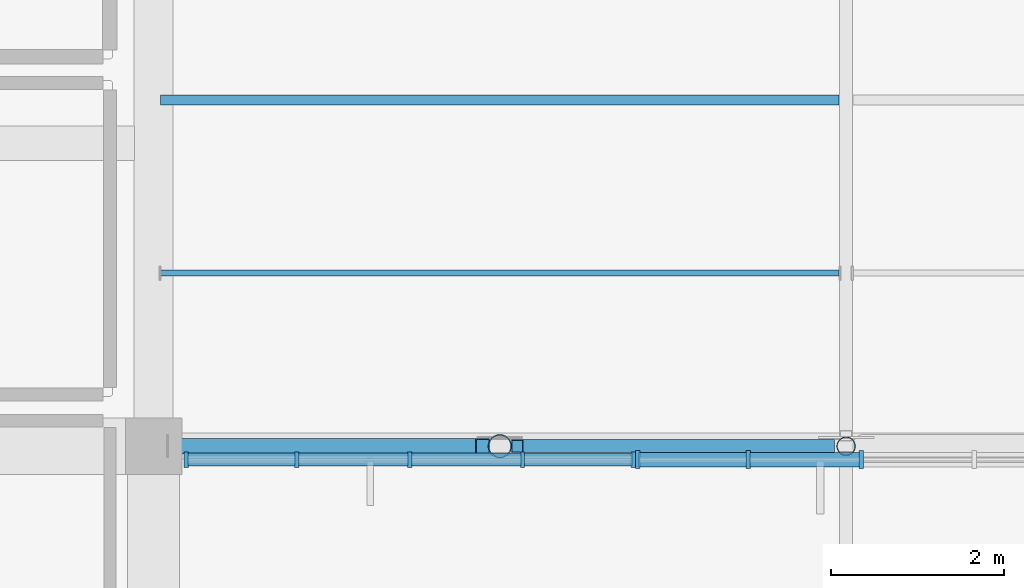
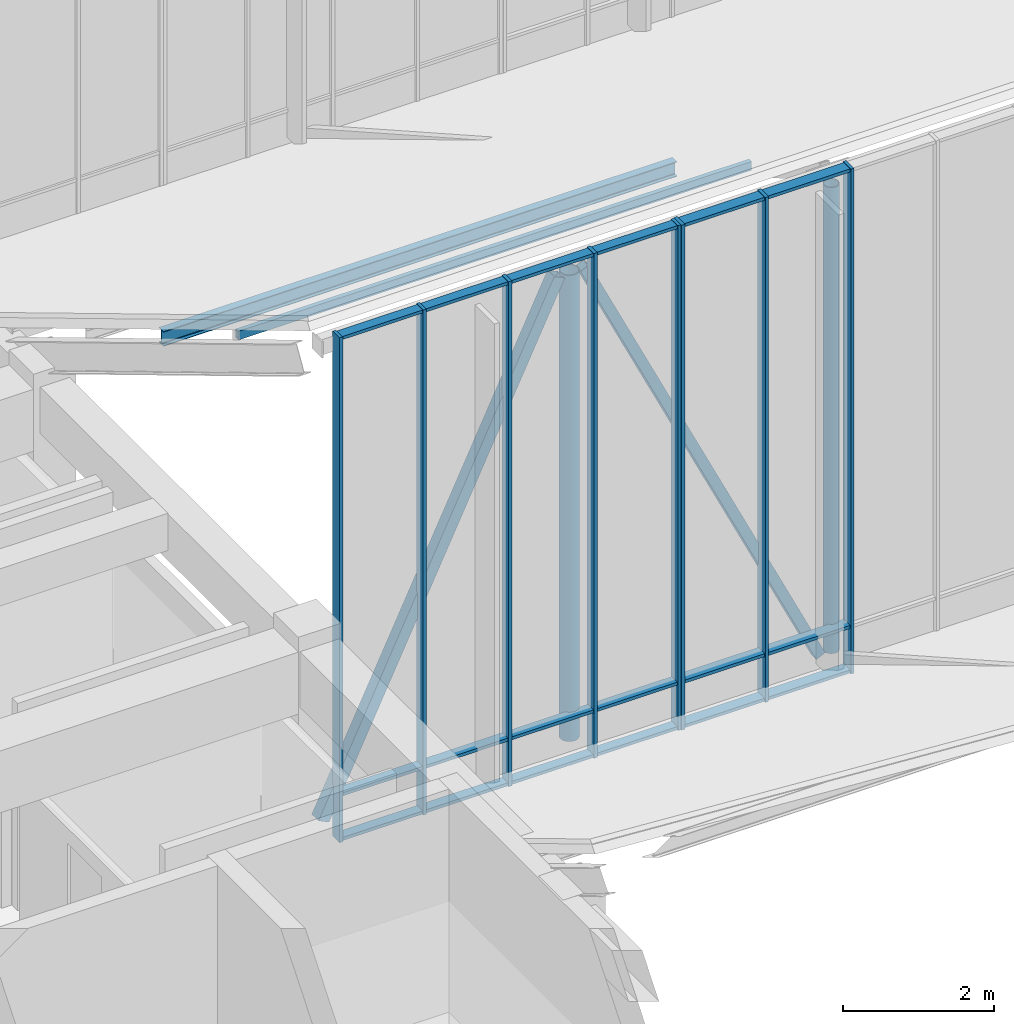
# One storey, part 38 of 155: 32 members, 2 elements without a shape of their own.
"""IFC4 building model written with IfcOpenShell, lengths in metres."""

import ifcopenshell
import ifcopenshell.guid

model = None  # the IFC model being written
_history = None  # IfcOwnerHistory: only IFC2X3 demands one
_inside = {}  # id of a spatial element -> (the spatial element, [elements in it])
_under = {}  # id of a project, library or spatial element -> (it, [spatial elements below it])
_declared = {}  # id of a project -> (the project, [libraries it declares])
_typed = {}  # id of a type object -> (the type object, [elements of that type])
_made_of = {}  # id of a material, layer set ... -> (it, [elements and type objects made of it])


def new_model(schema):
    """Start an empty IFC model of exactly this schema.

    Asked for "IFC4X3", IfcOpenShell would pick the latest addendum, in which some entities
    have other attributes; the version numbers below select the first issue.
    IFC2X3 requires an IfcOwnerHistory on every rooted entity: one is made here for all.
    """
    global model, _history
    if schema == "IFC4X3":
        model = ifcopenshell.file(schema_version=(4, 3, 0, 0))
    else:
        model = ifcopenshell.file(schema=schema)
    _inside.clear()
    _under.clear()
    _declared.clear()
    _typed.clear()
    _made_of.clear()
    _history = None
    if model.schema == "IFC2X3":
        org = make("IfcOrganization", Name="unknown")
        user = make(
            "IfcPersonAndOrganization",
            ThePerson=make("IfcPerson", FamilyName="unknown"),
            TheOrganization=org,
        )
        app = make(
            "IfcApplication",
            ApplicationDeveloper=org,
            Version="unknown",
            ApplicationFullName="unknown",
            ApplicationIdentifier="unknown",
        )
        _history = make(
            "IfcOwnerHistory",
            OwningUser=user,
            OwningApplication=app,
            ChangeAction="ADDED",
            CreationDate=0,
        )
    return model


def make(cls, **values):
    """One entity of the class cls with the attributes given. An attribute that is None is left unset."""
    return model.create_entity(
        cls, **{name: value for name, value in values.items() if value is not None}
    )


def rooted(cls, **values):
    """An entity with a GlobalId (a new one), such as an element, a storey or a relation."""
    return make(cls, GlobalId=ifcopenshell.guid.new(), OwnerHistory=_history, **values)


def si_unit(unit_type, name, prefix=None):
    """IfcSIUnit, for example si_unit("LENGTHUNIT", "METRE", prefix="MILLI")."""
    return make("IfcSIUnit", UnitType=unit_type, Prefix=prefix, Name=name)


def assignment(units):
    """IfcUnitAssignment: the units of a project."""
    return None if units is None else make("IfcUnitAssignment", Units=units)


def point(xyz):
    """IfcCartesianPoint."""
    return None if xyz is None else make("IfcCartesianPoint", Coordinates=xyz)


def direction(xyz):
    """IfcDirection."""
    return None if xyz is None else make("IfcDirection", DirectionRatios=xyz)


def frame(location, z_axis=None, x_axis=None):
    """IfcAxis2Placement3D, a coordinate frame: its origin and axes. An axis left out is left unset."""
    return make(
        "IfcAxis2Placement3D",
        Location=point(location),
        Axis=direction(z_axis),
        RefDirection=direction(x_axis),
    )


def frame_2d(location, x_axis=None):
    """IfcAxis2Placement2D, a coordinate frame in the plane: its origin and x axis."""
    return make(
        "IfcAxis2Placement2D", Location=point(location), RefDirection=direction(x_axis)
    )


def origin():
    """The frame at (0, 0, 0) with its axes left unset."""
    return frame((0.0, 0.0, 0.0))


def origin_2d():
    """The frame at (0, 0) in the plane with its x axis left unset."""
    return frame_2d((0.0, 0.0))


def place(relative_to, where):
    """IfcLocalPlacement: puts the frame where relative to a parent placement (None: the world)."""
    return make(
        "IfcLocalPlacement", PlacementRelTo=relative_to, RelativePlacement=where
    )


def context(
    kind, dimensions, precision=None, world=None, true_north=None, identifier=None
):
    """IfcGeometricRepresentationContext, for example the 3D "Model" context."""
    return make(
        "IfcGeometricRepresentationContext",
        ContextIdentifier=identifier,
        ContextType=kind,
        CoordinateSpaceDimension=dimensions,
        Precision=precision,
        WorldCoordinateSystem=world,
        TrueNorth=true_north,
    )


def subcontext(parent, identifier, kind, view, scale=None):
    """IfcGeometricRepresentationSubContext, for example "Body" below "Model"."""
    return make(
        "IfcGeometricRepresentationSubContext",
        ContextIdentifier=identifier,
        ContextType=kind,
        ParentContext=parent,
        TargetScale=scale,
        TargetView=view,
    )


def project(units=None, contexts=None):
    """IfcProject with its units and contexts."""
    return rooted(
        "IfcProject",
        Name="project",
        RepresentationContexts=contexts,
        UnitsInContext=assignment(units),
    )


def spatial(cls, under=None, at=None, **own):
    """A site, building, storey or space (cls), placed at a placement, below another one or the project."""
    s = rooted(cls, ObjectPlacement=at, **own)
    if under is not None:
        _under.setdefault(under.id(), (under, []))[1].append(s)
    return s


def profile(cls, at=None, kind="AREA", **sizes):
    """A parametric profile (cls). Its sizes go by their IFC names, for example OverallWidth=200.0."""
    return make(cls, ProfileType=kind, Position=at, **sizes)


def rectangle(**sizes):
    """IfcRectangleProfileDef."""
    return profile("IfcRectangleProfileDef", **sizes)


def hollow_rectangle(**sizes):
    """IfcRectangleHollowProfileDef."""
    return profile("IfcRectangleHollowProfileDef", **sizes)


def hollow_circle(**sizes):
    """IfcCircleHollowProfileDef."""
    return profile("IfcCircleHollowProfileDef", **sizes)


def i_section(**sizes):
    """IfcIShapeProfileDef."""
    return profile("IfcIShapeProfileDef", **sizes)


def extrude(swept, where, along, depth):
    """IfcExtrudedAreaSolid: the profile swept, set in the frame where, extruded along a direction by depth."""
    return make(
        "IfcExtrudedAreaSolid",
        SweptArea=swept,
        Position=where,
        ExtrudedDirection=direction(along),
        Depth=depth,
    )


def shape(context_of_items, identifier, shape_type, items):
    """IfcShapeRepresentation: the items that make up one representation, for example the "Body"."""
    return make(
        "IfcShapeRepresentation",
        ContextOfItems=context_of_items,
        RepresentationIdentifier=identifier,
        RepresentationType=shape_type,
        Items=items,
    )


def material(Name=None, Category=None):
    """IfcMaterial."""
    return make("IfcMaterial", Name=Name, Category=Category)


def material_profile(
    of_material, cross_section, Name=None, Category=None, Priority=None
):
    """IfcMaterialProfile: a cross section and its material."""
    return make(
        "IfcMaterialProfile",
        Name=Name,
        Material=of_material,
        Profile=cross_section,
        Priority=Priority,
        Category=Category,
    )


def profile_set(profiles, Name=None, composite=None):
    """IfcMaterialProfileSet."""
    return make(
        "IfcMaterialProfileSet",
        Name=Name,
        MaterialProfiles=profiles,
        CompositeProfile=composite,
    )


def made_of(thing, what):
    """Note that an element or type object is made of a material, layer set ...; save() writes the relation."""
    if what is not None:
        _made_of.setdefault(what.id(), (what, []))[1].append(thing)
    return thing


def type_object(cls, material=None, **own):
    """A type object (cls), such as IfcWallType, which elements share."""
    return made_of(rooted(cls, **own), material)


def element(
    cls,
    number,
    at=None,
    inside=None,
    cuts=None,
    type_object=None,
    material=None,
    context=None,
    identifier="Body",
    shape_type=None,
    held_by="IfcProductDefinitionShape",
    body=None,
    shapes=None,
    **own,
):
    """One element of the class cls, such as IfcWall. Its Tag is "e" and its number.

    at: its placement. inside: the storey or other place that contains it. cuts: it is an
    opening in that element (IfcRelVoidsElement). A single representation is given by context,
    identifier, shape_type and body (its items); several are given by shapes. held_by: the class
    of the entity that holds the representations. save() writes the other relations.
    """
    e = rooted(cls, Tag="e%d" % number, ObjectPlacement=at, **own)
    if body is not None:
        shapes = [shape(context, identifier, shape_type, body)]
    if shapes is not None:
        e.Representation = make(held_by, Representations=shapes)
    if inside is not None:
        _inside.setdefault(inside.id(), (inside, []))[1].append(e)
    if cuts is not None:
        rooted(
            "IfcRelVoidsElement", RelatingBuildingElement=cuts, RelatedOpeningElement=e
        )
    if type_object is not None:
        _typed.setdefault(type_object.id(), (type_object, []))[1].append(e)
    return made_of(e, material)


def aggregate(whole, parts):
    """IfcRelAggregates: a whole, such as a stair, and the parts it consists of."""
    return rooted("IfcRelAggregates", RelatingObject=whole, RelatedObjects=parts)


def save(model, path):
    """Write the relations noted so far, then the file.

    IfcRelAggregates (storeys below a building ...), IfcRelContainedInSpatialStructure (elements
    in a storey), IfcRelDefinesByType, IfcRelAssociatesMaterial and IfcRelDeclares: one each for
    every whole, place, type object, material and project.
    """
    for whole, parts in _under.values():
        aggregate(whole, parts)
    for where, things in _inside.values():
        rooted(
            "IfcRelContainedInSpatialStructure",
            RelatedElements=things,
            RelatingStructure=where,
        )
    for kind, things in _typed.values():
        rooted("IfcRelDefinesByType", RelatedObjects=things, RelatingType=kind)
    for what, things in _made_of.values():
        rooted("IfcRelAssociatesMaterial", RelatedObjects=things, RelatingMaterial=what)
    for by, libraries in _declared.values():
        rooted("IfcRelDeclares", RelatingContext=by, RelatedDefinitions=libraries)
    model.write(path)


model = new_model("IFC4")

# Units and contexts
model_context = context("Model", 3, precision=1e-05, world=origin(), true_north=direction((0.0, 1.0)))
body_context = subcontext(model_context, "Body", "Model", "MODEL_VIEW")
ifc_project = project(units=[si_unit("LENGTHUNIT", "METRE"), si_unit("AREAUNIT", "SQUARE_METRE"), si_unit("VOLUMEUNIT", "CUBIC_METRE"), si_unit("PLANEANGLEUNIT", "RADIAN"), si_unit("MASSUNIT", "GRAM", prefix="KILO")], contexts=[model_context])

# Site, building, storey
site_placement = place(None, origin())
site = spatial("IfcSite", under=ifc_project, at=site_placement, CompositionType="ELEMENT")
building_placement = place(site_placement, origin())
building = spatial("IfcBuilding", under=site, at=building_placement, Name="Larkveld Mobility Hub", CompositionType="ELEMENT")
storey_placement = place(building_placement, frame((0.0, 0.0, 8.39990234375)))
storey = spatial("IfcBuildingStorey", under=building, at=storey_placement, Name="L02", CompositionType="ELEMENT", Elevation=8.39990234375)

# Curtain wall, members
ifc_material_1 = material(Name="Anodised aluminium 6063-T6", Category="aluminium")
curtain_wall_type_1 = type_object("IfcCurtainWallType", Name="CW-SYS-02", PredefinedType="NOTDEFINED", material=ifc_material_1)
curtain_wall_1_placement = place(storey_placement, origin())
curtain_wall_1 = element("IfcCurtainWall", 1, at=curtain_wall_1_placement, inside=storey, type_object=curtain_wall_type_1, Name="Sawtooth South-Light Clerestory B2 CW-014", PredefinedType="NOTDEFINED")
ifc_material_profile_1 = material_profile(ifc_material_1, rectangle(XDim=0.050048828125, YDim=0.179931640625, at=origin_2d()), Name="ALU MULL 50x180")
ifc_profile_set_1 = profile_set([ifc_material_profile_1], Name="Anodised aluminium 6063-T6")
member_type_1 = type_object("IfcMemberType", Name="CW-MUL-02", PredefinedType="MULLION", material=ifc_profile_set_1)
member_1_placement = place(storey_placement, frame((152.375, 41.844970703125, -0.001953125), z_axis=(0.0, 0.0, 1.0), x_axis=(1.0, 0.0, 0.0)))
member_1 = element("IfcMember", 2, at=member_1_placement, type_object=member_type_1, Name="CW02 mullion 1", PredefinedType="MULLION", context=body_context, shape_type="SweptSolid", body=[
    extrude(rectangle(XDim=0.050048828125, YDim=0.179931640625, at=origin_2d()), origin(), (0.0, 0.0, 1.0), 8.152099609375),
])
member_2_placement = place(storey_placement, frame((153.654052734375, 41.844970703125, -0.001953125), z_axis=(0.0, 0.0, 1.0), x_axis=(1.0, 0.0, 0.0)))
member_2 = element("IfcMember", 3, at=member_2_placement, type_object=member_type_1, Name="CW02 mullion 2", PredefinedType="MULLION", context=body_context, shape_type="SweptSolid", body=[
    extrude(rectangle(XDim=0.050048828125, YDim=0.179931640625, at=origin_2d()), origin(), (0.0, 0.0, 1.0), 8.152099609375),
])
member_3_placement = place(storey_placement, frame((154.9580078125, 41.844970703125, -0.001953125), z_axis=(0.0, 0.0, 1.0), x_axis=(1.0, 0.0, 0.0)))
member_3 = element("IfcMember", 4, at=member_3_placement, type_object=member_type_1, Name="CW02 mullion 3", PredefinedType="MULLION", context=body_context, shape_type="SweptSolid", body=[
    extrude(rectangle(XDim=0.050048828125, YDim=0.179931640625, at=origin_2d()), origin(), (0.0, 0.0, 1.0), 8.152099609375),
])
member_4_placement = place(storey_placement, frame((156.261962890625, 41.844970703125, -0.001953125), z_axis=(0.0, 0.0, 1.0), x_axis=(1.0, 0.0, 0.0)))
member_4 = element("IfcMember", 5, at=member_4_placement, type_object=member_type_1, Name="CW02 mullion 4", PredefinedType="MULLION", context=body_context, shape_type="SweptSolid", body=[
    extrude(rectangle(XDim=0.050048828125, YDim=0.179931640625, at=origin_2d()), origin(), (0.0, 0.0, 1.0), 8.152099609375),
])
member_5_placement = place(storey_placement, frame((157.5419921875, 41.844970703125, -0.001953125), z_axis=(0.0, 0.0, 1.0), x_axis=(1.0, 0.0, 0.0)))
member_5 = element("IfcMember", 6, at=member_5_placement, type_object=member_type_1, Name="CW02 mullion 5", PredefinedType="MULLION", context=body_context, shape_type="SweptSolid", body=[
    extrude(rectangle(XDim=0.050048828125, YDim=0.179931640625, at=origin_2d()), origin(), (0.0, 0.0, 1.0), 8.152099609375),
])

curtain_wall_type_2 = type_object("IfcCurtainWallType", Name="CW-SYS-03", PredefinedType="NOTDEFINED", material=ifc_material_1)
curtain_wall_2_placement = place(storey_placement, origin())
curtain_wall_2 = element("IfcCurtainWall", 7, at=curtain_wall_2_placement, inside=storey, type_object=curtain_wall_type_2, Name="Sawtooth South-Light Clerestory B2 CW-015", PredefinedType="NOTDEFINED")
ifc_material_profile_2 = material_profile(ifc_material_1, rectangle(XDim=0.050048828125, YDim=0.2099609375, at=origin_2d()), Name="ALU MULL 50x210")
ifc_profile_set_2 = profile_set([ifc_material_profile_2], Name="Anodised aluminium 6063-T6")
member_type_2 = type_object("IfcMemberType", Name="CW-MUL-03", PredefinedType="MULLION", material=ifc_profile_set_2)
member_6_placement = place(storey_placement, frame((157.592041015625, 41.844970703125, -0.001953125), z_axis=(0.0, 0.0, 1.0), x_axis=(1.0, 0.0, 0.0)))
member_6 = element("IfcMember", 8, at=member_6_placement, type_object=member_type_2, Name="CW03 mullion 1", PredefinedType="MULLION", context=body_context, shape_type="SweptSolid", body=[
    extrude(rectangle(XDim=0.050048828125, YDim=0.2099609375, at=origin_2d()), origin(), (0.0, 0.0, 1.0), 8.152099609375),
])
member_7_placement = place(storey_placement, frame((158.87109375, 41.844970703125, -0.001953125), z_axis=(0.0, 0.0, 1.0), x_axis=(1.0, 0.0, 0.0)))
member_7 = element("IfcMember", 9, at=member_7_placement, type_object=member_type_2, Name="CW03 mullion 2", PredefinedType="MULLION", context=body_context, shape_type="SweptSolid", body=[
    extrude(rectangle(XDim=0.050048828125, YDim=0.2099609375, at=origin_2d()), origin(), (0.0, 0.0, 1.0), 8.152099609375),
])
member_8_placement = place(storey_placement, frame((160.175048828125, 41.844970703125, -0.001953125), z_axis=(0.0, 0.0, 1.0), x_axis=(1.0, 0.0, 0.0)))
member_8 = element("IfcMember", 10, at=member_8_placement, type_object=member_type_2, Name="CW03 mullion 3", PredefinedType="MULLION", context=body_context, shape_type="SweptSolid", body=[
    extrude(rectangle(XDim=0.050048828125, YDim=0.2099609375, at=origin_2d()), origin(), (0.0, 0.0, 1.0), 8.152099609375),
])

# Member
ifc_material_profile_3 = material_profile(ifc_material_1, rectangle(XDim=0.14990234375, YDim=0.050048828125, at=origin_2d()), Name="ALU TRAN 50x150")
ifc_profile_set_3 = profile_set([ifc_material_profile_3], Name="Anodised aluminium 6063-T6")
member_type_3 = type_object("IfcMemberType", Name="CW-TRN-02", PredefinedType="USERDEFINED", material=ifc_profile_set_3)
member_9_placement = place(storey_placement, frame((152.385009765625, 41.844970703125, 0.030029296875), z_axis=(1.0, 0.0, 0.0), x_axis=(0.0, 1.0, 0.0)))
member_9 = element("IfcMember", 11, at=member_9_placement, type_object=member_type_3, Name="CW02 transom 1.1", ObjectType="TRANSOM", PredefinedType="USERDEFINED", context=body_context, shape_type="SweptSolid", body=[
    extrude(rectangle(XDim=0.14990234375, YDim=0.050048828125, at=origin_2d()), origin(), (0.0, 0.0, 1.0), 1.25390625),
])

member_10_placement = place(storey_placement, frame((152.385009765625, 41.844970703125, 0.75), z_axis=(1.0, 0.0, 0.0), x_axis=(0.0, 1.0, 0.0)))
member_10 = element("IfcMember", 12, at=member_10_placement, type_object=member_type_3, Name="CW02 transom 1.2", ObjectType="TRANSOM", PredefinedType="USERDEFINED", context=body_context, shape_type="SweptSolid", body=[
    extrude(rectangle(XDim=0.14990234375, YDim=0.050048828125, at=origin_2d()), origin(), (0.0, 0.0, 1.0), 1.25390625),
])

member_11_placement = place(storey_placement, frame((152.385009765625, 41.844970703125, 8.1181640625), z_axis=(1.0, 0.0, 0.0), x_axis=(0.0, 1.0, 0.0)))
member_11 = element("IfcMember", 13, at=member_11_placement, type_object=member_type_3, Name="CW02 transom 1.3", ObjectType="TRANSOM", PredefinedType="USERDEFINED", context=body_context, shape_type="SweptSolid", body=[
    extrude(rectangle(XDim=0.14990234375, YDim=0.050048828125, at=origin_2d()), origin(), (0.0, 0.0, 1.0), 1.25390625),
])

member_12_placement = place(storey_placement, frame((153.6689453125, 41.844970703125, 0.030029296875), z_axis=(1.0, 0.0, 0.0), x_axis=(0.0, 1.0, 0.0)))
member_12 = element("IfcMember", 14, at=member_12_placement, type_object=member_type_3, Name="CW02 transom 2.1", ObjectType="TRANSOM", PredefinedType="USERDEFINED", context=body_context, shape_type="SweptSolid", body=[
    extrude(rectangle(XDim=0.14990234375, YDim=0.050048828125, at=origin_2d()), origin(), (0.0, 0.0, 1.0), 1.274169921875),
])

member_13_placement = place(storey_placement, frame((153.6689453125, 41.844970703125, 0.75), z_axis=(1.0, 0.0, 0.0), x_axis=(0.0, 1.0, 0.0)))
member_13 = element("IfcMember", 15, at=member_13_placement, type_object=member_type_3, Name="CW02 transom 2.2", ObjectType="TRANSOM", PredefinedType="USERDEFINED", context=body_context, shape_type="SweptSolid", body=[
    extrude(rectangle(XDim=0.14990234375, YDim=0.050048828125, at=origin_2d()), origin(), (0.0, 0.0, 1.0), 1.274169921875),
])

member_14_placement = place(storey_placement, frame((153.6689453125, 41.844970703125, 8.1181640625), z_axis=(1.0, 0.0, 0.0), x_axis=(0.0, 1.0, 0.0)))
member_14 = element("IfcMember", 16, at=member_14_placement, type_object=member_type_3, Name="CW02 transom 2.3", ObjectType="TRANSOM", PredefinedType="USERDEFINED", context=body_context, shape_type="SweptSolid", body=[
    extrude(rectangle(XDim=0.14990234375, YDim=0.050048828125, at=origin_2d()), origin(), (0.0, 0.0, 1.0), 1.274169921875),
])

member_15_placement = place(storey_placement, frame((154.972900390625, 41.844970703125, 0.030029296875), z_axis=(1.0, 0.0, 0.0), x_axis=(0.0, 1.0, 0.0)))
member_15 = element("IfcMember", 17, at=member_15_placement, type_object=member_type_3, Name="CW02 transom 3.1", ObjectType="TRANSOM", PredefinedType="USERDEFINED", context=body_context, shape_type="SweptSolid", body=[
    extrude(rectangle(XDim=0.14990234375, YDim=0.050048828125, at=origin_2d()), origin(), (0.0, 0.0, 1.0), 1.275146484375),
])

member_16_placement = place(storey_placement, frame((154.972900390625, 41.844970703125, 0.75), z_axis=(1.0, 0.0, 0.0), x_axis=(0.0, 1.0, 0.0)))
member_16 = element("IfcMember", 18, at=member_16_placement, type_object=member_type_3, Name="CW02 transom 3.2", ObjectType="TRANSOM", PredefinedType="USERDEFINED", context=body_context, shape_type="SweptSolid", body=[
    extrude(rectangle(XDim=0.14990234375, YDim=0.050048828125, at=origin_2d()), origin(), (0.0, 0.0, 1.0), 1.275146484375),
])

member_17_placement = place(storey_placement, frame((154.972900390625, 41.844970703125, 8.1181640625), z_axis=(1.0, 0.0, 0.0), x_axis=(0.0, 1.0, 0.0)))
member_17 = element("IfcMember", 19, at=member_17_placement, type_object=member_type_3, Name="CW02 transom 3.3", ObjectType="TRANSOM", PredefinedType="USERDEFINED", context=body_context, shape_type="SweptSolid", body=[
    extrude(rectangle(XDim=0.14990234375, YDim=0.050048828125, at=origin_2d()), origin(), (0.0, 0.0, 1.0), 1.275146484375),
])

member_18_placement = place(storey_placement, frame((156.278076171875, 41.844970703125, 0.030029296875), z_axis=(1.0, 0.0, 0.0), x_axis=(0.0, 1.0, 0.0)))
member_18 = element("IfcMember", 20, at=member_18_placement, type_object=member_type_3, Name="CW02 transom 4.1", ObjectType="TRANSOM", PredefinedType="USERDEFINED", context=body_context, shape_type="SweptSolid", body=[
    extrude(rectangle(XDim=0.14990234375, YDim=0.050048828125, at=origin_2d()), origin(), (0.0, 0.0, 1.0), 1.25390625),
])

member_19_placement = place(storey_placement, frame((156.278076171875, 41.844970703125, 0.75), z_axis=(1.0, 0.0, 0.0), x_axis=(0.0, 1.0, 0.0)))
member_19 = element("IfcMember", 21, at=member_19_placement, type_object=member_type_3, Name="CW02 transom 4.2", ObjectType="TRANSOM", PredefinedType="USERDEFINED", context=body_context, shape_type="SweptSolid", body=[
    extrude(rectangle(XDim=0.14990234375, YDim=0.050048828125, at=origin_2d()), origin(), (0.0, 0.0, 1.0), 1.25390625),
])

member_20_placement = place(storey_placement, frame((156.278076171875, 41.844970703125, 8.1181640625), z_axis=(1.0, 0.0, 0.0), x_axis=(0.0, 1.0, 0.0)))
member_20 = element("IfcMember", 22, at=member_20_placement, type_object=member_type_3, Name="CW02 transom 4.3", ObjectType="TRANSOM", PredefinedType="USERDEFINED", context=body_context, shape_type="SweptSolid", body=[
    extrude(rectangle(XDim=0.14990234375, YDim=0.050048828125, at=origin_2d()), origin(), (0.0, 0.0, 1.0), 1.25390625),
])

aggregate(curtain_wall_1, [member_1, member_2, member_3, member_4, member_5, member_9, member_10, member_11, member_12, member_13, member_14, member_15, member_16, member_17, member_18, member_19, member_20])

ifc_material_profile_4 = material_profile(ifc_material_1, rectangle(XDim=0.169921875, YDim=0.050048828125, at=origin_2d()), Name="ALU TRAN 50x170")
ifc_profile_set_4 = profile_set([ifc_material_profile_4], Name="Anodised aluminium 6063-T6")
member_type_4 = type_object("IfcMemberType", Name="CW-TRN-03", PredefinedType="USERDEFINED", material=ifc_profile_set_4)
member_21_placement = place(storey_placement, frame((157.60205078125, 41.844970703125, 0.030029296875), z_axis=(1.0, 0.0, 0.0), x_axis=(0.0, 1.0, 0.0)))
member_21 = element("IfcMember", 23, at=member_21_placement, type_object=member_type_4, Name="CW03 transom 1.1", ObjectType="TRANSOM", PredefinedType="USERDEFINED", context=body_context, shape_type="SweptSolid", body=[
    extrude(rectangle(XDim=0.169921875, YDim=0.050048828125, at=origin_2d()), origin(), (0.0, 0.0, 1.0), 1.25390625),
])

member_22_placement = place(storey_placement, frame((157.60205078125, 41.844970703125, 0.75), z_axis=(1.0, 0.0, 0.0), x_axis=(0.0, 1.0, 0.0)))
member_22 = element("IfcMember", 24, at=member_22_placement, type_object=member_type_4, Name="CW03 transom 1.2", ObjectType="TRANSOM", PredefinedType="USERDEFINED", context=body_context, shape_type="SweptSolid", body=[
    extrude(rectangle(XDim=0.169921875, YDim=0.050048828125, at=origin_2d()), origin(), (0.0, 0.0, 1.0), 1.25390625),
])

member_23_placement = place(storey_placement, frame((157.60205078125, 41.844970703125, 8.1181640625), z_axis=(1.0, 0.0, 0.0), x_axis=(0.0, 1.0, 0.0)))
member_23 = element("IfcMember", 25, at=member_23_placement, type_object=member_type_4, Name="CW03 transom 1.3", ObjectType="TRANSOM", PredefinedType="USERDEFINED", context=body_context, shape_type="SweptSolid", body=[
    extrude(rectangle(XDim=0.169921875, YDim=0.050048828125, at=origin_2d()), origin(), (0.0, 0.0, 1.0), 1.25390625),
])

member_24_placement = place(storey_placement, frame((158.885986328125, 41.844970703125, 0.030029296875), z_axis=(1.0, 0.0, 0.0), x_axis=(0.0, 1.0, 0.0)))
member_24 = element("IfcMember", 26, at=member_24_placement, type_object=member_type_4, Name="CW03 transom 2.1", ObjectType="TRANSOM", PredefinedType="USERDEFINED", context=body_context, shape_type="SweptSolid", body=[
    extrude(rectangle(XDim=0.169921875, YDim=0.050048828125, at=origin_2d()), origin(), (0.0, 0.0, 1.0), 1.27392578125),
])

member_25_placement = place(storey_placement, frame((158.885986328125, 41.844970703125, 0.75), z_axis=(1.0, 0.0, 0.0), x_axis=(0.0, 1.0, 0.0)))
member_25 = element("IfcMember", 27, at=member_25_placement, type_object=member_type_4, Name="CW03 transom 2.2", ObjectType="TRANSOM", PredefinedType="USERDEFINED", context=body_context, shape_type="SweptSolid", body=[
    extrude(rectangle(XDim=0.169921875, YDim=0.050048828125, at=origin_2d()), origin(), (0.0, 0.0, 1.0), 1.27392578125),
])

member_26_placement = place(storey_placement, frame((158.885986328125, 41.844970703125, 8.1181640625), z_axis=(1.0, 0.0, 0.0), x_axis=(0.0, 1.0, 0.0)))
member_26 = element("IfcMember", 28, at=member_26_placement, type_object=member_type_4, Name="CW03 transom 2.3", ObjectType="TRANSOM", PredefinedType="USERDEFINED", context=body_context, shape_type="SweptSolid", body=[
    extrude(rectangle(XDim=0.169921875, YDim=0.050048828125, at=origin_2d()), origin(), (0.0, 0.0, 1.0), 1.27392578125),
])

aggregate(curtain_wall_2, [member_6, member_7, member_8, member_21, member_22, member_23, member_24, member_25, member_26])

# Members
ifc_material_2 = material(Name="Steel S355JR", Category="steel")
ifc_material_profile_5 = material_profile(ifc_material_2, hollow_circle(Radius=0.109619140625, WallThickness=0.010009765625, at=origin_2d()), Name="CHS 219.1x10")
ifc_profile_set_5 = profile_set([ifc_material_profile_5], Name="Steel S355JR")
member_type_5 = type_object("IfcMemberType", Name="MB-BR-CHS219", PredefinedType="BRACE", material=ifc_profile_set_5)
member_27_placement = place(storey_placement, frame((160.0, 42.0, 0.300048828125), z_axis=(0.0, 0.0, 1.0), x_axis=(1.0, 0.0, 0.0)))
element("IfcMember", 29, at=member_27_placement, inside=storey, type_object=member_type_5, Name="ROOF TRUSS T2 Vertical Post 2", PredefinedType="BRACE", context=body_context, shape_type="SweptSolid", body=[
    extrude(hollow_circle(Radius=0.109619140625, WallThickness=0.010009765625, at=origin_2d()), origin(), (0.0, 0.0, 1.0), 7.525146484375),
])
ifc_material_profile_6 = material_profile(ifc_material_2, hollow_circle(Radius=0.136474609375, WallThickness=0.012451171875, at=origin_2d()), Name="CHS 273x12.5")
ifc_profile_set_6 = profile_set([ifc_material_profile_6], Name="Steel S355JR")
member_type_6 = type_object("IfcMemberType", Name="MB-BR-CHS273", PredefinedType="BRACE", material=ifc_profile_set_6)
member_28_placement = place(storey_placement, frame((156.0, 42.0, 0.300048828125), z_axis=(0.0, 0.0, 1.0), x_axis=(1.0, 0.0, 0.0)))
element("IfcMember", 30, at=member_28_placement, inside=storey, type_object=member_type_6, Name="ROOF TRUSS T2 Vertical Post 1", PredefinedType="BRACE", context=body_context, shape_type="SweptSolid", body=[
    extrude(hollow_circle(Radius=0.136474609375, WallThickness=0.012451171875, at=origin_2d()), origin(), (0.0, 0.0, 1.0), 7.525146484375),
])
ifc_material_profile_7 = material_profile(ifc_material_2, hollow_rectangle(XDim=0.14990234375, YDim=0.14990234375, WallThickness=0.008056640625, at=origin_2d()), Name="SHS 150x150x8")
ifc_profile_set_7 = profile_set([ifc_material_profile_7], Name="Steel S355JR")
member_type_7 = type_object("IfcMemberType", Name="MB-BR-SHS150", PredefinedType="BRACE", material=ifc_profile_set_7)
member_29_placement = place(storey_placement, frame((156.199951171875, 42.0, 7.8251953125), z_axis=(0.43156423058, 0.0, -0.902082210712), x_axis=(0.0, 1.0, 0.0)))
element("IfcMember", 31, at=member_29_placement, inside=storey, type_object=member_type_7, Name="ROOF TRUSS T2 Web Diagonal 2", PredefinedType="BRACE", context=body_context, shape_type="SweptSolid", body=[
    extrude(hollow_rectangle(XDim=0.14990234375, YDim=0.14990234375, WallThickness=0.008056640625, at=origin_2d()), origin(), (0.0, 0.0, 1.0), 8.342041015625),
])
ifc_material_profile_8 = material_profile(ifc_material_2, hollow_rectangle(XDim=0.179931640625, YDim=0.179931640625, WallThickness=0.010009765625, at=origin_2d()), Name="SHS 180x180x10")
ifc_profile_set_8 = profile_set([ifc_material_profile_8], Name="Steel S355JR")
member_type_8 = type_object("IfcMemberType", Name="MB-BR-SHS180", PredefinedType="BRACE", material=ifc_profile_set_8)
member_30_placement = place(storey_placement, frame((152.199951171875, 42.0, 0.300048828125), z_axis=(0.43156423058, 0.0, 0.902082210712), x_axis=(0.0, 1.0, 0.0)))
element("IfcMember", 32, at=member_30_placement, inside=storey, type_object=member_type_8, Name="ROOF TRUSS T2 Web Diagonal 1", PredefinedType="BRACE", context=body_context, shape_type="SweptSolid", body=[
    extrude(hollow_rectangle(XDim=0.179931640625, YDim=0.179931640625, WallThickness=0.010009765625, at=origin_2d()), origin(), (0.0, 0.0, 1.0), 8.342041015625),
])
ifc_material_profile_9 = material_profile(ifc_material_2, i_section(OverallWidth=0.1201171875, OverallDepth=0.239990234375, WebThickness=0.006103515625, FlangeThickness=0.009765625, FilletRadius=0.014892578125, at=origin_2d()), Name="IPE 240")
ifc_profile_set_9 = profile_set([ifc_material_profile_9], Name="Steel S355JR")
member_type_9 = type_object("IfcMemberType", Name="MB-PR-IPE240", PredefinedType="PURLIN", material=ifc_profile_set_9)
member_31_placement = place(storey_placement, frame((152.080078125, 46.0, 5.68701171875), z_axis=(1.0, 0.0, 0.0), x_axis=(0.0, 1.0, 0.0)))
element("IfcMember", 33, at=member_31_placement, inside=storey, type_object=member_type_9, Name="Sawtooth Roof Purlin B2-2.1", PredefinedType="PURLIN", context=body_context, shape_type="SweptSolid", body=[
    extrude(i_section(OverallWidth=0.1201171875, OverallDepth=0.239990234375, WebThickness=0.006103515625, FlangeThickness=0.009765625, FilletRadius=0.014892578125, at=origin_2d()), origin(), (0.0, 0.0, 1.0), 7.83984375),
])
ifc_material_profile_10 = material_profile(ifc_material_2, hollow_rectangle(XDim=0.070068359375, YDim=0.139892578125, WallThickness=0.00634765625, at=origin_2d()), Name="RHS 140x70x6.3")
ifc_profile_set_10 = profile_set([ifc_material_profile_10], Name="Steel S355JR")
member_type_10 = type_object("IfcMemberType", Name="MB-PR-RHS140", PredefinedType="PURLIN", material=ifc_profile_set_10)
member_32_placement = place(storey_placement, frame((152.080078125, 44.0, 6.93701171875), z_axis=(1.0, 0.0, 0.0), x_axis=(0.0, 1.0, 0.0)))
element("IfcMember", 34, at=member_32_placement, inside=storey, type_object=member_type_10, Name="Sawtooth Roof Purlin B2-1.1", PredefinedType="PURLIN", context=body_context, shape_type="SweptSolid", body=[
    extrude(hollow_rectangle(XDim=0.070068359375, YDim=0.139892578125, WallThickness=0.00634765625, at=origin_2d()), origin(), (0.0, 0.0, 1.0), 7.83984375),
])

save(model, "model.ifc")
